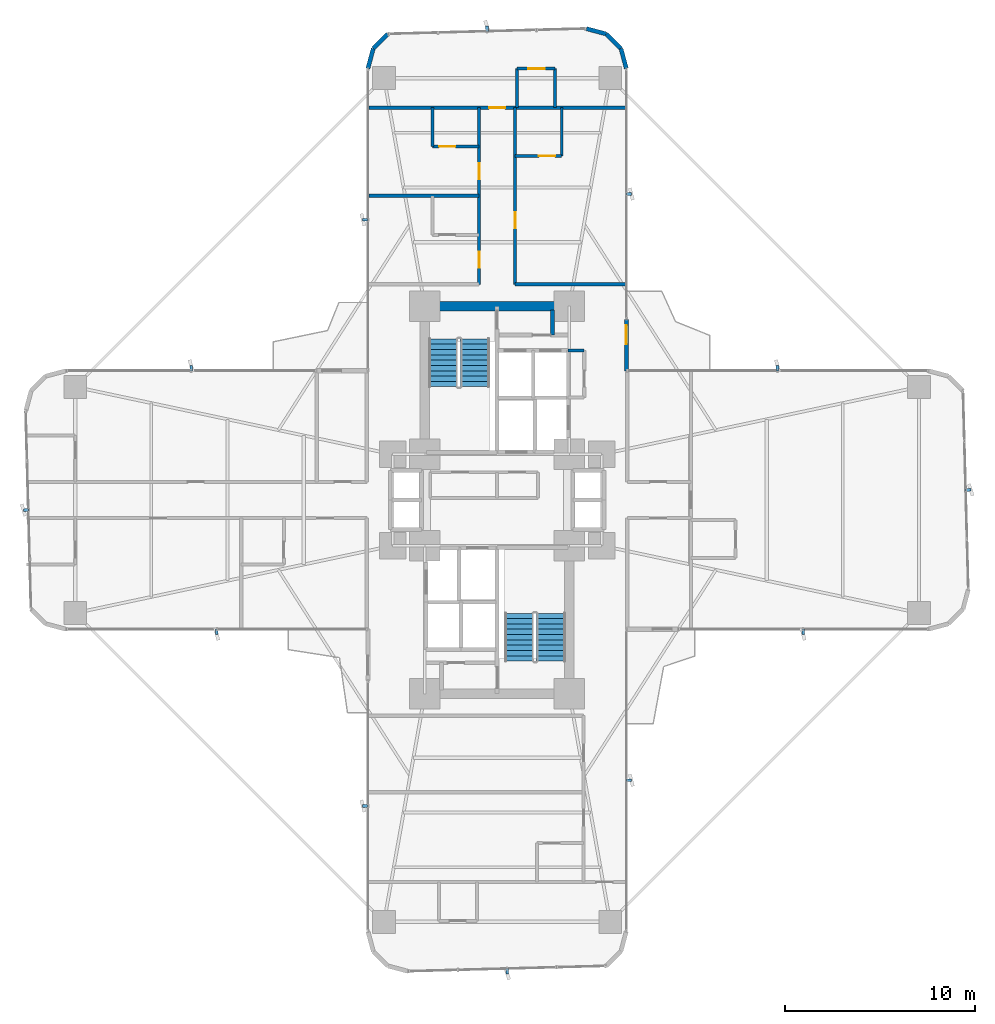
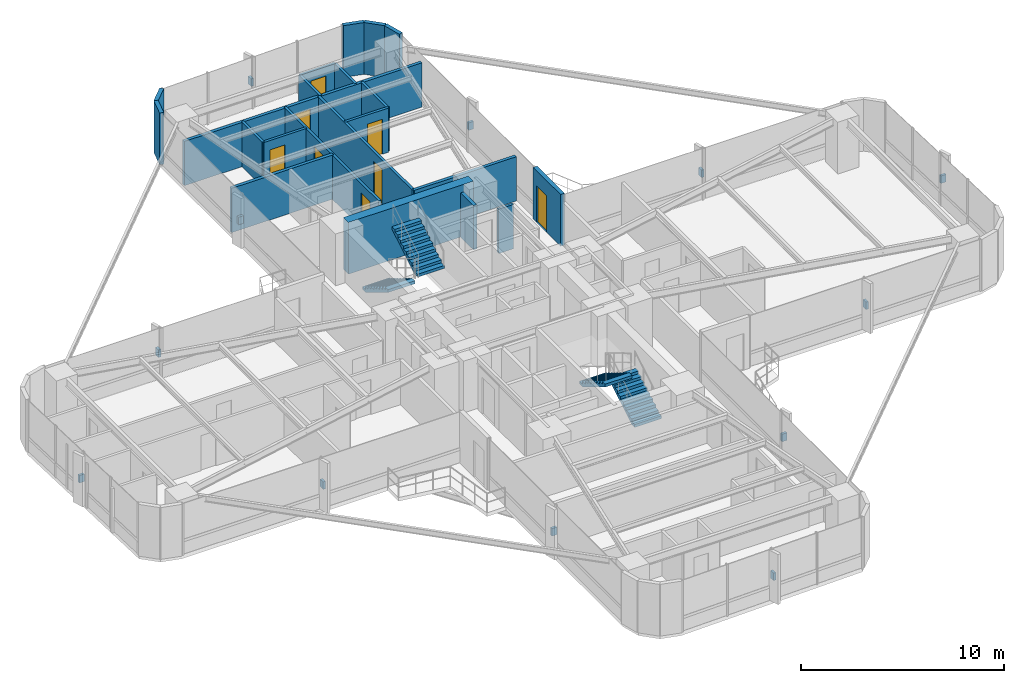
# One storey, part 24 of 25: 21 walls, 12 discrete accessories, 8 doors, 4 stair flights, 8 openings, 2 elements without a shape of their own.
"""IFC4 building model written with IfcOpenShell, lengths in metres."""

from ifc_helpers import new_model, si_unit, direction, frame, frame_2d, origin, origin_2d, place, context, subcontext, project, spatial, polyline, rectangle, outline, extrude, source, transform, mapped, material, layer, layer_set, type_object, element, fill, aggregate, save


model = new_model("IFC4")

# Units and contexts
model_context = context("Model", 3, precision=1e-05, world=origin(), true_north=direction((0.0, 1.0)))
body_context = subcontext(model_context, "Body", "Model", "MODEL_VIEW")
ifc_project = project(units=[si_unit("LENGTHUNIT", "METRE"), si_unit("AREAUNIT", "SQUARE_METRE"), si_unit("VOLUMEUNIT", "CUBIC_METRE"), si_unit("PLANEANGLEUNIT", "RADIAN"), si_unit("MASSUNIT", "GRAM", prefix="KILO")], contexts=[model_context])

# Site, building, storey
site_placement = place(None, origin())
site = spatial("IfcSite", under=ifc_project, at=site_placement, CompositionType="ELEMENT")
building_placement = place(site_placement, origin())
building = spatial("IfcBuilding", under=site, at=building_placement, Name="Sahyath Konkavel Grand Hotel", CompositionType="ELEMENT")
storey_placement = place(building_placement, frame((0.0, 0.0, 54.39990234375)))
storey = spatial("IfcBuildingStorey", under=building, at=storey_placement, Name="L14", CompositionType="ELEMENT", Elevation=54.39990234375)

# Wall
ifc_material_1 = material(Name="Concrete C70/85", Category="concrete")
ifc_layer_1 = layer(ifc_material_1, 0.5)
ifc_layer_set_1 = layer_set([ifc_layer_1], Name="Concrete C70/85")
wall_type_1 = type_object("IfcWallType", Name="CWALL-500", PredefinedType="SHEAR", material=ifc_layer_set_1)
wall_1_placement = place(storey_placement, frame((-3.550048828125, 10.199951171875, 0.0), z_axis=(0.0, 0.0, 1.0), x_axis=(1.0, 0.0, 0.0)))
element("IfcWall", 1, at=wall_1_placement, inside=storey, type_object=wall_type_1, Name="L14 North Core Shear Wall N", PredefinedType="SHEAR", context=body_context, shape_type="SweptSolid", body=[
    extrude(rectangle(XDim=7.10009765625, YDim=0.5, at=frame_2d((3.550048828125, 0.0))), origin(), (0.0, 0.0, 1.0), 3.110107421875),
])

# Wall, opening, door
ifc_material_2 = material(Name="Warm Buff Sandstone Insulated Concrete C40/50", Category="masonry")
ifc_layer_2 = layer(ifc_material_2, 0.219970703125)
ifc_layer_set_2 = layer_set([ifc_layer_2], Name="Warm Buff Sandstone Insulated Concrete C40/50")
wall_type_2 = type_object("IfcWallType", Name="WLL-BALC-THRESH", PredefinedType="STANDARD", material=ifc_layer_set_2)
wall_2_placement = place(storey_placement, frame((6.800048828125, 6.800048828125, 0.0), z_axis=(0.0, 0.0, 1.0), x_axis=(0.0, 1.0, 0.0)))
wall_2 = element("IfcWall", 2, at=wall_2_placement, inside=storey, type_object=wall_type_2, Name="L14 Winter-Garden Threshold Wall 8", PredefinedType="STANDARD", context=body_context, shape_type="SweptSolid", body=[
    extrude(rectangle(XDim=2.699951171875, YDim=0.219970703125, at=frame_2d((1.35009765625, 0.0))), origin(), (0.0, 0.0, 1.0), 3.110107421875),
])
opening_1_placement = place(wall_2_placement, frame((1.39990234375, 0.0, 0.0)))
opening_1 = element("IfcOpeningElement", 3, at=opening_1_placement, cuts=wall_2, Name="Opening D-TR1", PredefinedType="OPENING", context=body_context, shape_type="SweptSolid", body=[
    extrude(rectangle(XDim=1.0, YDim=2.199951171875, at=frame_2d((0.5, 1.10009765625))), frame((0.0, 0.1201171875, 0.0), z_axis=(0.0, -1.0, 0.0), x_axis=(1.0, 0.0, 0.0)), (0.0, 0.0, 1.0), 0.239990234375),
])
ifc_material_3 = material(Name="Anodised Bronze Aluminium & Low-E Glazing", Category="aluminium")
door_type_1 = type_object("IfcDoorType", Name="DR-TERRACE-1000", OperationType="NOTDEFINED", PredefinedType="DOOR", material=ifc_material_3)
shared_shape_1 = source(origin(), body_context, "Body", "SweptSolid", [
    extrude(rectangle(XDim=1.0, YDim=0.050048828125, at=origin_2d()), origin(), (0.0, 0.0, 1.0), 2.199951171875),
])
door_1_placement = place(opening_1_placement, frame((0.5, 0.0, 0.0)))
door_1 = element("IfcDoor", 4, at=door_1_placement, inside=storey, type_object=door_type_1, Name="L14 Winter-Garden Terrace Door 8", OperationType="SINGLE_SWING_LEFT", OverallHeight=2.199951171875, OverallWidth=1.0, PredefinedType="DOOR", context=body_context, shape_type="MappedRepresentation", body=[
    mapped(shared_shape_1, transform((0.0, 0.0, 0.0), scale=1.0)),
])
fill(opening_1, door_1)

# Walls
for number, where, z_axis, x_axis, name in (
    (5, (6.800048828125, 22.699951171875, 0.0), (0.0, 0.0, 1.0), (-0.25872485917, 0.965951058412, 0.0), "L14 Rounded Corner Sandstone Pier 9"),
    (6, (6.518798828125, 23.75, 0.0), (0.0, 0.0, 1.0), (-0.707106781187, 0.707106781187, 0.0), "L14 Rounded Corner Sandstone Pier 10"),
    (7, (5.75, 24.518798828125, 0.0), (0.0, 0.0, 1.0), (-0.965951058412, 0.25872485917, 0.0), "L14 Rounded Corner Sandstone Pier 11"),
    (8, (-5.75, 24.518798828125, 0.0), (0.0, 0.0, 1.0), (-0.707106781187, -0.707106781187, 0.0), "L14 Rounded Corner Sandstone Pier 13"),
    (9, (-6.518798828125, 23.75, 0.0), (0.0, 0.0, 1.0), (-0.25872485917, -0.965951058412, 0.0), "L14 Rounded Corner Sandstone Pier 14"),
):
    element("IfcWall", number, at=place(storey_placement, frame(where, z_axis=z_axis, x_axis=x_axis)), inside=storey, type_object=wall_type_2, Name=name, PredefinedType="STANDARD", context=body_context, shape_type="SweptSolid", body=[
        extrude(rectangle(XDim=1.087158203125, YDim=0.219970703125, at=frame_2d((0.54345703125, 0.0))), origin(), (0.0, 0.0, 1.0), 3.110107421875),
    ])
ifc_material_4 = material(Name="Concrete C40/50", Category="concrete")
ifc_layer_3 = layer(ifc_material_4, 0.199951171875)
ifc_layer_set_3 = layer_set([ifc_layer_3], Name="Concrete C40/50")
wall_type_3 = type_object("IfcWallType", Name="WLL-CORE-200", PredefinedType="SOLIDWALL", material=ifc_layer_set_3)
wall_3_placement = place(storey_placement, frame((2.919921875, 8.679931640625, 0.0), z_axis=(0.0, 0.0, 1.0), x_axis=(0.0, 1.0, 0.0)))
element("IfcWall", 10, at=wall_3_placement, inside=storey, type_object=wall_type_3, Name="L14 Partition NFF-E2", PredefinedType="SOLIDWALL", context=body_context, shape_type="SweptSolid", body=[
    extrude(rectangle(XDim=1.320068359375, YDim=0.199951171875, at=frame_2d((0.66015625, 0.0))), origin(), (0.0, 0.0, 1.0), 2.66015625),
])
ifc_material_5 = material(Name="Twin-Stud Acoustic Gypsum Plasterboard Partition")
ifc_layer_4 = layer(ifc_material_5, 0.179931640625)
ifc_layer_set_4 = layer_set([ifc_layer_4], Name="Twin-Stud Acoustic Gypsum Plasterboard Partition")
wall_type_4 = type_object("IfcWallType", Name="WLL-DEMISE-180", PredefinedType="PARTITIONING", material=ifc_layer_set_4)
for number, where, z_axis, x_axis, name in (
    (11, (6.75, 11.35009765625, 0.0), (0.0, 0.0, 1.0), (-1.0, 0.0, 0.0), "L14 Partition N-INR"),
    (12, (-0.949951171875, 16.0, 0.0), (0.0, 0.0, 1.0), (-1.0, 0.0, 0.0), "L14 Partition N-N4L1-DEM"),
):
    element("IfcWall", number, at=place(storey_placement, frame(where, z_axis=z_axis, x_axis=x_axis)), inside=storey, type_object=wall_type_4, Name=name, PredefinedType="PARTITIONING", context=body_context, shape_type="SweptSolid", body=[
        extrude(rectangle(XDim=5.800048828125, YDim=0.179931640625, at=frame_2d((2.89990234375, 0.0))), origin(), (0.0, 0.0, 1.0), 2.66015625),
    ])

# Wall, opening, door
wall_4_placement = place(storey_placement, frame((6.75, 20.64990234375, 0.0), z_axis=(0.0, 0.0, 1.0), x_axis=(-1.0, 0.0, 0.0)))
wall_4 = element("IfcWall", 13, at=wall_4_placement, inside=storey, type_object=wall_type_4, Name="L14 Partition N-NTIP-END", PredefinedType="PARTITIONING", context=body_context, shape_type="SweptSolid", body=[
    extrude(rectangle(XDim=13.5, YDim=0.179931640625, at=frame_2d((6.75, 0.0))), origin(), (0.0, 0.0, 1.0), 2.66015625),
])
opening_2_placement = place(wall_4_placement, frame((6.324951171875, 0.0, 0.0)))
opening_2 = element("IfcOpeningElement", 14, at=opening_2_placement, cuts=wall_4, Name="Opening D-F06D", PredefinedType="OPENING", context=body_context, shape_type="SweptSolid", body=[
    extrude(rectangle(XDim=0.85009765625, YDim=2.10009765625, at=frame_2d((0.425048828125, 1.050048828125))), frame((0.0, 0.10009765625, 0.0), z_axis=(0.0, -1.0, 0.0), x_axis=(1.0, 0.0, 0.0)), (0.0, 0.0, 1.0), 0.199951171875),
])
ifc_material_6 = material(Name="Fire-Rated Shaft Access Door")
door_type_2 = type_object("IfcDoorType", Name="DR-FD60-850", OperationType="NOTDEFINED", PredefinedType="DOOR", material=ifc_material_6)
shared_shape_2 = source(origin(), body_context, "Body", "SweptSolid", [
    extrude(rectangle(XDim=0.85009765625, YDim=0.050048828125, at=origin_2d()), origin(), (0.0, 0.0, 1.0), 2.10009765625),
])
door_2_placement = place(opening_2_placement, frame((0.425048828125, 0.0, 0.0)))
door_2 = element("IfcDoor", 15, at=door_2_placement, inside=storey, type_object=door_type_2, Name="L14 Door N-NTIP-ED", OperationType="SINGLE_SWING_RIGHT", OverallHeight=2.10009765625, OverallWidth=0.85009765625, PredefinedType="DOOR", context=body_context, shape_type="MappedRepresentation", body=[
    mapped(shared_shape_2, transform((0.0, 0.0, 0.0), scale=1.0)),
])
fill(opening_2, door_2)

# Wall
ifc_material_7 = material(Name="Fire-Rated Gypsum Plasterboard Partition")
ifc_layer_5 = layer(ifc_material_7, 0.14990234375)
ifc_layer_set_5 = layer_set([ifc_layer_5], Name="Fire-Rated Gypsum Plasterboard Partition")
wall_type_5 = type_object("IfcWallType", Name="WLL-PART-150", PredefinedType="PARTITIONING", material=ifc_layer_set_5)
wall_5_placement = place(storey_placement, frame((3.739990234375, 7.860107421875, 0.0), z_axis=(0.0, 0.0, 1.0), x_axis=(1.0, 0.0, 0.0)))
element("IfcWall", 16, at=wall_5_placement, inside=storey, type_object=wall_type_5, Name="L14 Partition NC-FLK-N", PredefinedType="PARTITIONING", context=body_context, shape_type="SweptSolid", body=[
    extrude(rectangle(XDim=0.840087890625, YDim=0.14990234375, at=frame_2d((0.419921875, 0.0))), origin(), (0.0, 0.0, 1.0), 2.66015625),
])

# Wall, openings, doors
wall_6_placement = place(storey_placement, frame((-0.949951171875, 11.35009765625, 0.0), z_axis=(0.0, 0.0, 1.0), x_axis=(0.0, 1.0, 0.0)))
wall_6 = element("IfcWall", 17, at=wall_6_placement, inside=storey, type_object=wall_type_5, Name="L14 Partition N-CL", PredefinedType="PARTITIONING", context=body_context, shape_type="SweptSolid", body=[
    extrude(rectangle(XDim=9.2998046875, YDim=0.14990234375, at=frame_2d((4.64990234375, 0.0))), origin(), (0.0, 0.0, 1.0), 2.66015625),
])
opening_3_placement = place(wall_6_placement, frame((0.875, 0.0, 0.0)))
opening_3 = element("IfcOpeningElement", 18, at=opening_3_placement, cuts=wall_6, Name="Opening D-F06D", PredefinedType="OPENING", context=body_context, shape_type="SweptSolid", body=[
    extrude(rectangle(XDim=0.85009765625, YDim=2.10009765625, at=frame_2d((0.425048828125, 1.050048828125))), frame((0.0, 0.0849609375, 0.0), z_axis=(0.0, -1.0, 0.0), x_axis=(1.0, 0.0, 0.0)), (0.0, 0.0, 1.0), 0.169921875),
])
opening_4_placement = place(wall_6_placement, frame((5.52490234375, 0.0, 0.0)))
opening_4 = element("IfcOpeningElement", 19, at=opening_4_placement, cuts=wall_6, Name="Opening D-F06D", PredefinedType="OPENING", context=body_context, shape_type="SweptSolid", body=[
    extrude(rectangle(XDim=0.85009765625, YDim=2.10009765625, at=frame_2d((0.425048828125, 1.050048828125))), frame((0.0, 0.0849609375, 0.0), z_axis=(0.0, -1.0, 0.0), x_axis=(1.0, 0.0, 0.0)), (0.0, 0.0, 1.0), 0.169921875),
])
door_3_placement = place(opening_3_placement, frame((0.425048828125, 0.0, 0.0)))
door_3 = element("IfcDoor", 20, at=door_3_placement, inside=storey, type_object=door_type_2, Name="L14 Door N-N4L1-ED", OperationType="SINGLE_SWING_RIGHT", OverallHeight=2.10009765625, OverallWidth=0.85009765625, PredefinedType="DOOR", context=body_context, shape_type="MappedRepresentation", body=[
    mapped(shared_shape_2, transform((0.0, 0.0, 0.0), scale=1.0)),
])
fill(opening_3, door_3)
door_4_placement = place(opening_4_placement, frame((0.425048828125, 0.0, 0.0)))
door_4 = element("IfcDoor", 21, at=door_4_placement, inside=storey, type_object=door_type_2, Name="L14 Door N-N4L2-ED", OperationType="SINGLE_SWING_RIGHT", OverallHeight=2.10009765625, OverallWidth=0.85009765625, PredefinedType="DOOR", context=body_context, shape_type="MappedRepresentation", body=[
    mapped(shared_shape_2, transform((0.0, 0.0, 0.0), scale=1.0)),
])
fill(opening_4, door_4)

# Wall, opening, door
wall_7_placement = place(storey_placement, frame((0.949951171875, 11.35009765625, 0.0), z_axis=(0.0, 0.0, 1.0), x_axis=(0.0, 1.0, 0.0)))
wall_7 = element("IfcWall", 22, at=wall_7_placement, inside=storey, type_object=wall_type_5, Name="L14 Partition N-CR", PredefinedType="PARTITIONING", context=body_context, shape_type="SweptSolid", body=[
    extrude(rectangle(XDim=9.2998046875, YDim=0.14990234375, at=frame_2d((4.64990234375, 0.0))), origin(), (0.0, 0.0, 1.0), 2.66015625),
])
opening_5_placement = place(wall_7_placement, frame((2.949951171875, 0.0, 0.0)))
opening_5 = element("IfcOpeningElement", 23, at=opening_5_placement, cuts=wall_7, Name="Opening D-F06D", PredefinedType="OPENING", context=body_context, shape_type="SweptSolid", body=[
    extrude(rectangle(XDim=0.85009765625, YDim=2.10009765625, at=frame_2d((0.425048828125, 1.050048828125))), frame((0.0, 0.0849609375, 0.0), z_axis=(0.0, -1.0, 0.0), x_axis=(1.0, 0.0, 0.0)), (0.0, 0.0, 1.0), 0.169921875),
])
door_5_placement = place(opening_5_placement, frame((0.425048828125, 0.0, 0.0)))
door_5 = element("IfcDoor", 24, at=door_5_placement, inside=storey, type_object=door_type_2, Name="L14 Door N-N4R1-ED", OperationType="SINGLE_SWING_RIGHT", OverallHeight=2.10009765625, OverallWidth=0.85009765625, PredefinedType="DOOR", context=body_context, shape_type="MappedRepresentation", body=[
    mapped(shared_shape_2, transform((0.0, 0.0, 0.0), scale=1.0)),
])
fill(opening_5, door_5)

wall_8_placement = place(storey_placement, frame((-0.949951171875, 18.60009765625, 0.0), z_axis=(0.0, 0.0, 1.0), x_axis=(-1.0, 0.0, 0.0)))
wall_8 = element("IfcWall", 25, at=wall_8_placement, inside=storey, type_object=wall_type_5, Name="L14 Partition N-N4L2-BS", PredefinedType="PARTITIONING", context=body_context, shape_type="SweptSolid", body=[
    extrude(rectangle(XDim=2.449951171875, YDim=0.14990234375, at=frame_2d((1.22509765625, 0.0))), origin(), (0.0, 0.0, 1.0), 2.66015625),
])
opening_6_placement = place(wall_8_placement, frame((1.25, 0.0, 0.0)))
opening_6 = element("IfcOpeningElement", 26, at=opening_6_placement, cuts=wall_8, Name="Opening D-BT85", PredefinedType="OPENING", context=body_context, shape_type="SweptSolid", body=[
    extrude(rectangle(XDim=0.85009765625, YDim=2.10009765625, at=frame_2d((0.425048828125, 1.050048828125))), frame((0.0, 0.0849609375, 0.0), z_axis=(0.0, -1.0, 0.0), x_axis=(1.0, 0.0, 0.0)), (0.0, 0.0, 1.0), 0.169921875),
])
ifc_material_8 = material(Name="Moisture-Resistant Teak Bathroom Door")
door_type_3 = type_object("IfcDoorType", Name="DR-BATH-850", OperationType="NOTDEFINED", PredefinedType="DOOR", material=ifc_material_8)
door_6_placement = place(opening_6_placement, frame((0.425048828125, 0.0, 0.0)))
door_6 = element("IfcDoor", 27, at=door_6_placement, inside=storey, type_object=door_type_3, Name="L14 Door N-N4L2-BD", OperationType="SINGLE_SWING_LEFT", OverallHeight=2.10009765625, OverallWidth=0.85009765625, PredefinedType="DOOR", context=body_context, shape_type="MappedRepresentation", body=[
    mapped(shared_shape_2, transform((0.0, 0.0, 0.0), scale=1.0)),
])
fill(opening_6, door_6)

# Wall
wall_9_placement = place(storey_placement, frame((-3.39990234375, 18.60009765625, 0.0), z_axis=(0.0, 0.0, 1.0), x_axis=(0.0, 1.0, 0.0)))
element("IfcWall", 28, at=wall_9_placement, inside=storey, type_object=wall_type_5, Name="L14 Partition N-N4L2-BF", PredefinedType="PARTITIONING", context=body_context, shape_type="SweptSolid", body=[
    extrude(rectangle(XDim=2.0498046875, YDim=0.14990234375, at=frame_2d((1.02490234375, 0.0))), origin(), (0.0, 0.0, 1.0), 2.66015625),
])

# Wall, opening, door
wall_10_placement = place(storey_placement, frame((0.949951171875, 18.10009765625, 0.0), z_axis=(0.0, 0.0, 1.0), x_axis=(1.0, 0.0, 0.0)))
wall_10 = element("IfcWall", 29, at=wall_10_placement, inside=storey, type_object=wall_type_5, Name="L14 Partition N-N4R1-BS", PredefinedType="PARTITIONING", context=body_context, shape_type="SweptSolid", body=[
    extrude(rectangle(XDim=2.449951171875, YDim=0.14990234375, at=frame_2d((1.22509765625, 0.0))), origin(), (0.0, 0.0, 1.0), 2.66015625),
])
opening_7_placement = place(wall_10_placement, frame((1.25, 0.0, 0.0)))
opening_7 = element("IfcOpeningElement", 30, at=opening_7_placement, cuts=wall_10, Name="Opening D-BT85", PredefinedType="OPENING", context=body_context, shape_type="SweptSolid", body=[
    extrude(rectangle(XDim=0.85009765625, YDim=2.10009765625, at=frame_2d((0.425048828125, 1.050048828125))), frame((0.0, 0.0849609375, 0.0), z_axis=(0.0, -1.0, 0.0), x_axis=(1.0, 0.0, 0.0)), (0.0, 0.0, 1.0), 0.169921875),
])
door_7_placement = place(opening_7_placement, frame((0.425048828125, 0.0, 0.0)))
door_7 = element("IfcDoor", 31, at=door_7_placement, inside=storey, type_object=door_type_3, Name="L14 Door N-N4R1-BD", OperationType="SINGLE_SWING_LEFT", OverallHeight=2.10009765625, OverallWidth=0.85009765625, PredefinedType="DOOR", context=body_context, shape_type="MappedRepresentation", body=[
    mapped(shared_shape_2, transform((0.0, 0.0, 0.0), scale=1.0)),
])
fill(opening_7, door_7)

# Walls
wall_11_placement = place(storey_placement, frame((3.39990234375, 18.10009765625, 0.0), z_axis=(0.0, 0.0, 1.0), x_axis=(0.0, 1.0, 0.0)))
element("IfcWall", 32, at=wall_11_placement, inside=storey, type_object=wall_type_5, Name="L14 Partition N-N4R1-BF", PredefinedType="PARTITIONING", context=body_context, shape_type="SweptSolid", body=[
    extrude(rectangle(XDim=2.5498046875, YDim=0.14990234375, at=frame_2d((1.27490234375, 0.0))), origin(), (0.0, 0.0, 1.0), 2.66015625),
])
for number, where, z_axis, x_axis, name in (
    (33, (1.050048828125, 20.64990234375, 0.0), (0.0, 0.0, 1.0), (0.0, 1.0, 0.0), "L14 Partition N-NTIP-BN"),
    (34, (3.050048828125, 20.64990234375, 0.0), (0.0, 0.0, 1.0), (0.0, 1.0, 0.0), "L14 Partition N-NTIP-BS"),
):
    element("IfcWall", number, at=place(storey_placement, frame(where, z_axis=z_axis, x_axis=x_axis)), inside=storey, type_object=wall_type_5, Name=name, PredefinedType="PARTITIONING", context=body_context, shape_type="SweptSolid", body=[
        extrude(rectangle(XDim=2.050048828125, YDim=0.14990234375, at=frame_2d((1.02490234375, 0.0))), origin(), (0.0, 0.0, 1.0), 2.66015625),
    ])

# Wall, opening, door
wall_12_placement = place(storey_placement, frame((3.050048828125, 22.699951171875, 0.0), z_axis=(0.0, 0.0, 1.0), x_axis=(-1.0, 0.0, 0.0)))
wall_12 = element("IfcWall", 35, at=wall_12_placement, inside=storey, type_object=wall_type_5, Name="L14 Partition N-NTIP-BE", PredefinedType="PARTITIONING", context=body_context, shape_type="SweptSolid", body=[
    extrude(rectangle(XDim=2.0, YDim=0.14990234375, at=frame_2d((1.0, 0.0))), origin(), (0.0, 0.0, 1.0), 2.66015625),
])
opening_8_placement = place(wall_12_placement, frame((0.550048828125, 0.0, 0.0)))
opening_8 = element("IfcOpeningElement", 36, at=opening_8_placement, cuts=wall_12, Name="Opening D-BT85", PredefinedType="OPENING", context=body_context, shape_type="SweptSolid", body=[
    extrude(rectangle(XDim=0.85009765625, YDim=2.10009765625, at=frame_2d((0.425048828125, 1.050048828125))), frame((0.0, 0.0849609375, 0.0), z_axis=(0.0, -1.0, 0.0), x_axis=(1.0, 0.0, 0.0)), (0.0, 0.0, 1.0), 0.169921875),
])
door_8_placement = place(opening_8_placement, frame((0.425048828125, 0.0, 0.0)))
door_8 = element("IfcDoor", 37, at=door_8_placement, inside=storey, type_object=door_type_3, Name="L14 Door N-NTIP-BD", OperationType="SINGLE_SWING_LEFT", OverallHeight=2.10009765625, OverallWidth=0.85009765625, PredefinedType="DOOR", context=body_context, shape_type="MappedRepresentation", body=[
    mapped(shared_shape_2, transform((0.0, 0.0, 0.0), scale=1.0)),
])
fill(opening_8, door_8)

# Stair, stair flights
stair_type = type_object("IfcStairType", Name="STR-ST16-335", PredefinedType="HALF_TURN_STAIR", material=ifc_material_4)
stair_1_placement = place(storey_placement, origin())
stair_1 = element("IfcStair", 38, at=stair_1_placement, inside=storey, type_object=stair_type, Name="L14 North Core Smokeproof Exit Stair ST-1", PredefinedType="HALF_TURN_STAIR")
stair_flight_type = type_object("IfcStairFlightType", Name="STF-ST16-335", PredefinedType="STRAIGHT", material=ifc_material_4)
stair_flight_1_placement = place(storey_placement, frame((-2.840087890625, 8.47998046875, 0.0), z_axis=(0.0, 0.0, 1.0), x_axis=(0.0, -1.0, 0.0)))
stair_flight_1 = element("IfcStairFlight", 39, at=stair_flight_1_placement, type_object=stair_flight_type, Name="ST-1 flight 1", NumberOfRisers=10, NumberOfTreads=9, PredefinedType="STRAIGHT", RiserHeight=0.1675, TreadLength=0.28, context=body_context, shape_type="SweptSolid", body=[
    extrude(outline(polyline([(0.0, 0.0), (0.0, 0.16748046875), (0.280029296875, 0.16748046875), (0.280029296875, 0.3349609375), (0.56005859375, 0.3349609375), (0.56005859375, 0.50244140625), (0.840087890625, 0.50244140625), (0.840087890625, 0.669921875), (1.1201171875, 0.669921875), (1.1201171875, 0.83740234375), (1.39990234375, 0.83740234375), (1.39990234375, 1.0048828125), (1.679931640625, 1.0048828125), (1.679931640625, 1.172607421875), (1.9599609375, 1.172607421875), (1.9599609375, 1.340087890625), (2.239990234375, 1.340087890625), (2.239990234375, 1.507568359375), (2.52001953125, 1.507568359375), (2.52001953125, 1.675048828125), (2.52001953125, 1.332763671875), (0.2919921875, 0.0), (0.0, 0.0)])), frame((0.0, 0.760009765625, 0.0), z_axis=(0.0, -1.0, 0.0), x_axis=(1.0, 0.0, 0.0)), (0.0, 0.0, 1.0), 1.52001953125),
])
stair_flight_2_placement = place(storey_placement, frame((-1.159912109375, 5.9599609375, 1.675048828125), z_axis=(0.0, 0.0, 1.0), x_axis=(0.0, 1.0, 0.0)))
stair_flight_2 = element("IfcStairFlight", 40, at=stair_flight_2_placement, type_object=stair_flight_type, Name="ST-1 flight 2", NumberOfRisers=10, NumberOfTreads=9, PredefinedType="STRAIGHT", RiserHeight=0.1675, TreadLength=0.28, context=body_context, shape_type="SweptSolid", body=[
    extrude(outline(polyline([(0.0, 0.0), (0.0, 0.16748046875), (0.280029296875, 0.16748046875), (0.280029296875, 0.3349609375), (0.56005859375, 0.3349609375), (0.56005859375, 0.50244140625), (0.840087890625, 0.50244140625), (0.840087890625, 0.669921875), (1.1201171875, 0.669921875), (1.1201171875, 0.83740234375), (1.39990234375, 0.83740234375), (1.39990234375, 1.0048828125), (1.679931640625, 1.0048828125), (1.679931640625, 1.172607421875), (1.9599609375, 1.172607421875), (1.9599609375, 1.340087890625), (2.239990234375, 1.340087890625), (2.239990234375, 1.507568359375), (2.52001953125, 1.507568359375), (2.52001953125, 1.675048828125), (2.52001953125, 1.332763671875), (0.2919921875, 0.0), (0.0, 0.0)])), frame((0.0, 0.760009765625, 0.0), z_axis=(0.0, -1.0, 0.0), x_axis=(1.0, 0.0, 0.0)), (0.0, 0.0, 1.0), 1.52001953125),
])
aggregate(stair_1, [stair_flight_1, stair_flight_2])

stair_2_placement = place(storey_placement, origin())
stair_2 = element("IfcStair", 41, at=stair_2_placement, inside=storey, type_object=stair_type, Name="L14 South Core Smokeproof Exit Stair ST-2", PredefinedType="HALF_TURN_STAIR")
stair_flight_3_placement = place(storey_placement, frame((2.840087890625, -8.47998046875, 0.0), z_axis=(0.0, 0.0, 1.0), x_axis=(0.0, 1.0, 0.0)))
stair_flight_3 = element("IfcStairFlight", 42, at=stair_flight_3_placement, type_object=stair_flight_type, Name="ST-2 flight 1", NumberOfRisers=10, NumberOfTreads=9, PredefinedType="STRAIGHT", RiserHeight=0.1675, TreadLength=0.28, context=body_context, shape_type="SweptSolid", body=[
    extrude(outline(polyline([(0.0, 0.0), (0.0, 0.16748046875), (0.280029296875, 0.16748046875), (0.280029296875, 0.3349609375), (0.56005859375, 0.3349609375), (0.56005859375, 0.50244140625), (0.840087890625, 0.50244140625), (0.840087890625, 0.669921875), (1.1201171875, 0.669921875), (1.1201171875, 0.83740234375), (1.39990234375, 0.83740234375), (1.39990234375, 1.0048828125), (1.679931640625, 1.0048828125), (1.679931640625, 1.172607421875), (1.9599609375, 1.172607421875), (1.9599609375, 1.340087890625), (2.239990234375, 1.340087890625), (2.239990234375, 1.507568359375), (2.52001953125, 1.507568359375), (2.52001953125, 1.675048828125), (2.52001953125, 1.332763671875), (0.2919921875, 0.0), (0.0, 0.0)])), frame((0.0, 0.760009765625, 0.0), z_axis=(0.0, -1.0, 0.0), x_axis=(1.0, 0.0, 0.0)), (0.0, 0.0, 1.0), 1.52001953125),
])
stair_flight_4_placement = place(storey_placement, frame((1.159912109375, -5.9599609375, 1.675048828125), z_axis=(0.0, 0.0, 1.0), x_axis=(0.0, -1.0, 0.0)))
stair_flight_4 = element("IfcStairFlight", 43, at=stair_flight_4_placement, type_object=stair_flight_type, Name="ST-2 flight 2", NumberOfRisers=10, NumberOfTreads=9, PredefinedType="STRAIGHT", RiserHeight=0.1675, TreadLength=0.28, context=body_context, shape_type="SweptSolid", body=[
    extrude(outline(polyline([(0.0, 0.0), (0.0, 0.16748046875), (0.280029296875, 0.16748046875), (0.280029296875, 0.3349609375), (0.56005859375, 0.3349609375), (0.56005859375, 0.50244140625), (0.840087890625, 0.50244140625), (0.840087890625, 0.669921875), (1.1201171875, 0.669921875), (1.1201171875, 0.83740234375), (1.39990234375, 0.83740234375), (1.39990234375, 1.0048828125), (1.679931640625, 1.0048828125), (1.679931640625, 1.172607421875), (1.9599609375, 1.172607421875), (1.9599609375, 1.340087890625), (2.239990234375, 1.340087890625), (2.239990234375, 1.507568359375), (2.52001953125, 1.507568359375), (2.52001953125, 1.675048828125), (2.52001953125, 1.332763671875), (0.2919921875, 0.0), (0.0, 0.0)])), frame((0.0, 0.760009765625, 0.0), z_axis=(0.0, -1.0, 0.0), x_axis=(1.0, 0.0, 0.0)), (0.0, 0.0, 1.0), 1.52001953125),
])
aggregate(stair_2, [stair_flight_3, stair_flight_4])

# Discrete accessories
ifc_material_9 = material(Name="Steel E350", Category="steel")
discrete_accessory_type = type_object("IfcDiscreteAccessoryType", Name="ACC-FIN-BRACKET", PredefinedType="BRACKET", material=ifc_material_9)
shared_shape_3 = source(origin(), body_context, "Body", "SweptSolid", [
    extrude(rectangle(XDim=0.280029296875, YDim=0.139892578125, at=origin_2d()), origin(), (0.0, 0.0, 1.0), 0.449951171875),
])
for number, where, z_axis, x_axis, name in (
    (44, (16.10009765625, -6.929931640625, 1.330078125), (0.0, 0.0, 1.0), (0.0, -1.0, 0.0), "L14 Fin Support Bracket F0-1"),
    (45, (24.789306640625, 0.528564453125, 1.330078125), (0.0, 0.0, 1.0), (0.999637867691, 0.026909728301, 0.0), "L14 Fin Support Bracket F4-2"),
    (46, (14.75, 6.929931640625, 1.330078125), (0.0, 0.0, 1.0), (0.0, 1.0, 0.0), "L14 Fin Support Bracket F7-1"),
    (47, (6.929931640625, 16.10009765625, 1.330078125), (0.0, 0.0, 1.0), (1.0, 0.0, 0.0), "L14 Fin Support Bracket F8-1"),
    (48, (-0.528564453125, 24.789306640625, 1.330078125), (0.0, 0.0, 1.0), (-0.026909728301, 0.999637867691, 0.0), "L14 Fin Support Bracket F12-2"),
    (49, (-6.929931640625, 14.75, 1.330078125), (0.0, 0.0, 1.0), (-1.0, 0.0, 0.0), "L14 Fin Support Bracket F15-1"),
    (50, (-16.10009765625, 6.929931640625, 1.330078125), (0.0, 0.0, 1.0), (0.0, 1.0, 0.0), "L14 Fin Support Bracket F16-1"),
    (51, (-24.789306640625, -0.528564453125, 1.330078125), (0.0, 0.0, 1.0), (-0.999637867691, -0.026909728301, 0.0), "L14 Fin Support Bracket F20-2"),
    (52, (-14.75, -6.929931640625, 1.330078125), (0.0, 0.0, 1.0), (0.0, -1.0, 0.0), "L14 Fin Support Bracket F23-1"),
    (53, (-6.929931640625, -16.10009765625, 1.330078125), (0.0, 0.0, 1.0), (-1.0, 0.0, 0.0), "L14 Fin Support Bracket F24-1"),
    (54, (0.528564453125, -24.789306640625, 1.330078125), (0.0, 0.0, 1.0), (0.026909728301, -0.999637867691, 0.0), "L14 Fin Support Bracket F28-2"),
    (55, (6.929931640625, -14.75, 1.330078125), (0.0, 0.0, 1.0), (1.0, 0.0, 0.0), "L14 Fin Support Bracket F31-1"),
):
    element("IfcDiscreteAccessory", number, at=place(storey_placement, frame(where, z_axis=z_axis, x_axis=x_axis)), inside=storey, type_object=discrete_accessory_type, Name=name, PredefinedType="BRACKET", context=body_context, shape_type="MappedRepresentation", body=[
        mapped(shared_shape_3, transform((0.0, 0.0, 0.0), scale=1.0)),
    ])

save(model, "model.ifc")
